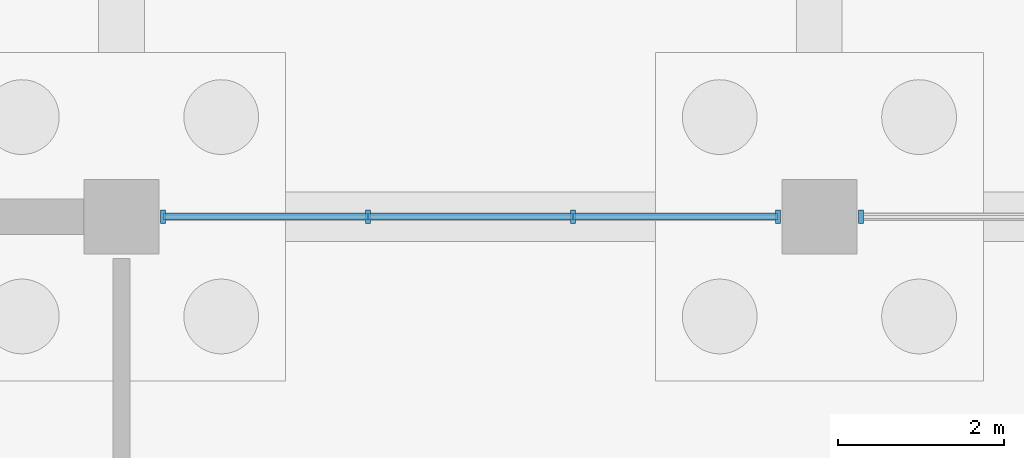
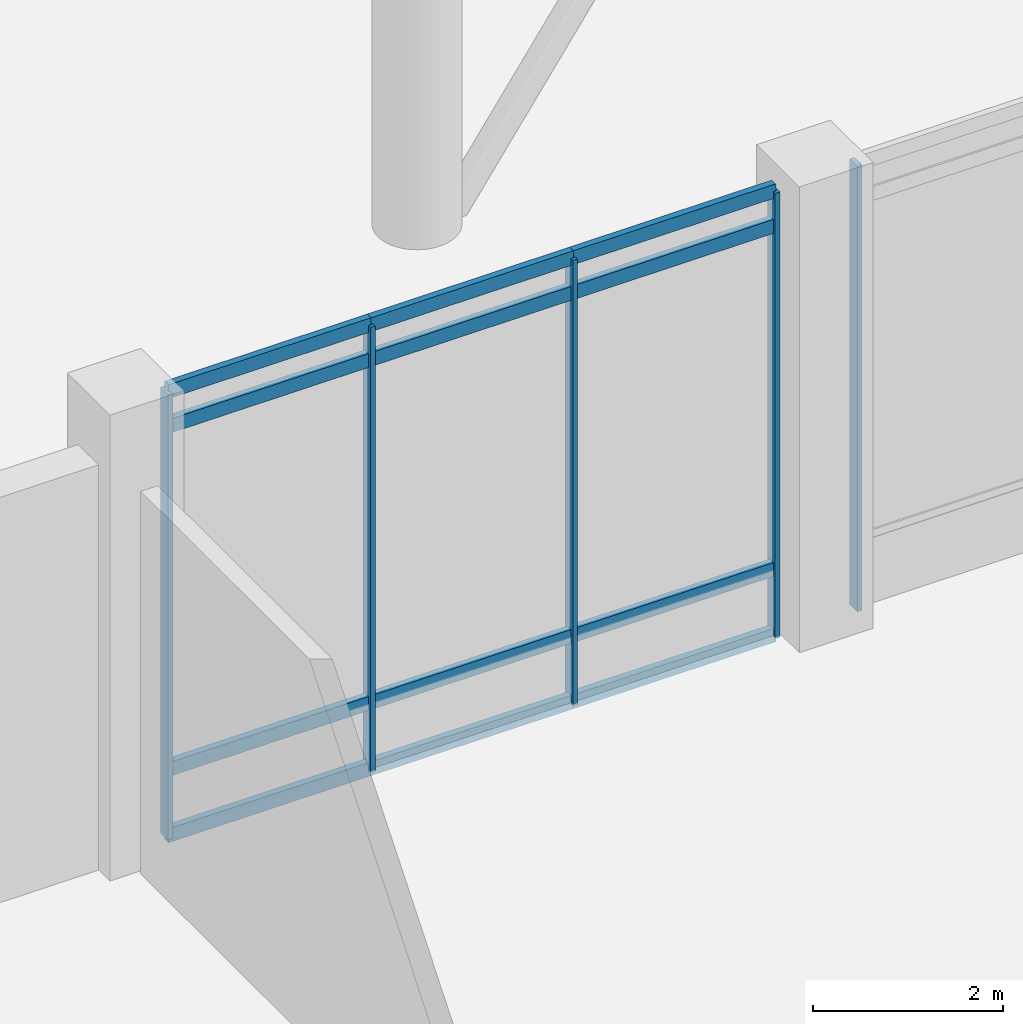
# One storey, part 23 of 72: 17 members, 2 elements without a shape of their own.
"""IFC4 building model written with IfcOpenShell, lengths in metres."""

from ifc_helpers import new_model, si_unit, direction, frame, origin, origin_2d, place, context, subcontext, project, spatial, rectangle, extrude, material, layer, layer_set, material_profile, profile_set, type_object, element, aggregate, save


model = new_model("IFC4")

# Units and contexts
model_context = context("Model", 3, precision=1e-05, world=origin(), true_north=direction((0.0, 1.0)))
body_context = subcontext(model_context, "Body", "Model", "MODEL_VIEW")
ifc_project = project(units=[si_unit("LENGTHUNIT", "METRE"), si_unit("AREAUNIT", "SQUARE_METRE"), si_unit("VOLUMEUNIT", "CUBIC_METRE"), si_unit("PLANEANGLEUNIT", "RADIAN"), si_unit("MASSUNIT", "GRAM", prefix="KILO")], contexts=[model_context])

# Site, building, storey
site_placement = place(None, origin())
site = spatial("IfcSite", under=ifc_project, at=site_placement, CompositionType="ELEMENT")
building_placement = place(site_placement, origin())
building = spatial("IfcBuilding", under=site, at=building_placement, Name="Qawsi Khor Wholesale Market", CompositionType="ELEMENT")
storey_placement = place(building_placement, origin())
storey = spatial("IfcBuildingStorey", under=building, at=storey_placement, Name="L00", CompositionType="ELEMENT", Elevation=0.0)

# Curtain wall, members
ifc_material = material(Name="Aluminium Anodised Bronze", Category="aluminium")
ifc_layer = layer(ifc_material, 0.169921875, Name="Aluminium Anodised Bronze")
ifc_layer_set = layer_set([ifc_layer], Name="Aluminium Anodised Bronze")
curtain_wall_type = type_object("IfcCurtainWallType", Name="Central Court Gallery Curtain Wall CW-05", PredefinedType="NOTDEFINED", material=ifc_layer_set)
curtain_wall_1_placement = place(storey_placement, origin())
curtain_wall_1 = element("IfcCurtainWall", 1, at=curtain_wall_1_placement, inside=storey, type_object=curtain_wall_type, Name="Curtain wall CW-CW-05-L00-057", PredefinedType="NOTDEFINED")
ifc_material_profile_1 = material_profile(ifc_material, rectangle(XDim=0.06005859375, YDim=0.159912109375, at=origin_2d()), Name="ALU MULLION 60x160")
ifc_profile_set_1 = profile_set([ifc_material_profile_1], Name="Aluminium Anodised Bronze")
member_type_1 = type_object("IfcMemberType", Name="Curtain Wall Mullion CW-05 ALU MULLION 60x160", PredefinedType="MULLION", material=ifc_profile_set_1)
member_1_placement = place(storey_placement, frame((118.10009765625, 42.0, -0.02001953125), z_axis=(0.0, 0.0, 1.0), x_axis=(1.0, 0.0, 0.0)))
member_1 = element("IfcMember", 2, at=member_1_placement, type_object=member_type_1, Name="Mullion CW-CW-05-L00-057-M00", PredefinedType="MULLION", context=body_context, shape_type="SweptSolid", body=[
    extrude(rectangle(XDim=0.06005859375, YDim=0.159912109375, at=origin_2d()), origin(), (0.0, 0.0, 1.0), 5.739990234375),
])
member_2_placement = place(storey_placement, frame((120.566650390625, 42.0, -0.02001953125), z_axis=(0.0, 0.0, 1.0), x_axis=(1.0, 0.0, 0.0)))
member_2 = element("IfcMember", 3, at=member_2_placement, type_object=member_type_1, Name="Mullion CW-CW-05-L00-057-M01", PredefinedType="MULLION", context=body_context, shape_type="SweptSolid", body=[
    extrude(rectangle(XDim=0.06005859375, YDim=0.159912109375, at=origin_2d()), origin(), (0.0, 0.0, 1.0), 5.739990234375),
])
member_3_placement = place(storey_placement, frame((123.033203125, 42.0, -0.02001953125), z_axis=(0.0, 0.0, 1.0), x_axis=(1.0, 0.0, 0.0)))
member_3 = element("IfcMember", 4, at=member_3_placement, type_object=member_type_1, Name="Mullion CW-CW-05-L00-057-M02", PredefinedType="MULLION", context=body_context, shape_type="SweptSolid", body=[
    extrude(rectangle(XDim=0.06005859375, YDim=0.159912109375, at=origin_2d()), origin(), (0.0, 0.0, 1.0), 5.739990234375),
])
member_4_placement = place(storey_placement, frame((125.5, 42.0, -0.02001953125), z_axis=(0.0, 0.0, 1.0), x_axis=(1.0, 0.0, 0.0)))
member_4 = element("IfcMember", 5, at=member_4_placement, type_object=member_type_1, Name="Mullion CW-CW-05-L00-057-M03", PredefinedType="MULLION", context=body_context, shape_type="SweptSolid", body=[
    extrude(rectangle(XDim=0.06005859375, YDim=0.159912109375, at=origin_2d()), origin(), (0.0, 0.0, 1.0), 5.739990234375),
])

# Curtain wall, member
curtain_wall_2_placement = place(storey_placement, origin())
curtain_wall_2 = element("IfcCurtainWall", 6, at=curtain_wall_2_placement, inside=storey, type_object=curtain_wall_type, Name="Curtain wall CW-CW-05-L00-058", PredefinedType="NOTDEFINED")
member_5_placement = place(storey_placement, frame((126.5, 42.0, -0.02001953125), z_axis=(0.0, 0.0, 1.0), x_axis=(1.0, 0.0, 0.0)))
member_5 = element("IfcMember", 7, at=member_5_placement, type_object=member_type_1, Name="Mullion CW-CW-05-L00-058-M00", PredefinedType="MULLION", context=body_context, shape_type="SweptSolid", body=[
    extrude(rectangle(XDim=0.06005859375, YDim=0.159912109375, at=origin_2d()), origin(), (0.0, 0.0, 1.0), 5.739990234375),
])
aggregate(curtain_wall_2, [member_5])

# Member
ifc_material_profile_2 = material_profile(ifc_material, rectangle(XDim=0.080078125, YDim=0.179931640625, at=origin_2d()), Name="ALU TRANSOM 80x180")
ifc_profile_set_2 = profile_set([ifc_material_profile_2], Name="Aluminium Anodised Bronze")
member_type_2 = type_object("IfcMemberType", Name="Curtain Wall Transom CW-05 ALU TRANSOM 80x180", PredefinedType="USERDEFINED", material=ifc_profile_set_2)
member_6_placement = place(storey_placement, frame((118.10009765625, 42.0, 0.0), z_axis=(1.0, 0.0, 0.0), x_axis=(0.0, 1.0, 0.0)))
member_6 = element("IfcMember", 8, at=member_6_placement, type_object=member_type_2, Name="Transom CW-CW-05-L00-057-T0_00", ObjectType="TRANSOM", PredefinedType="USERDEFINED", context=body_context, shape_type="SweptSolid", body=[
    extrude(rectangle(XDim=0.080078125, YDim=0.179931640625, at=origin_2d()), origin(), (0.0, 0.0, 1.0), 2.466552734375),
])

member_7_placement = place(storey_placement, frame((120.566650390625, 42.0, 0.0), z_axis=(1.0, 0.0, 0.0), x_axis=(0.0, 1.0, 0.0)))
member_7 = element("IfcMember", 9, at=member_7_placement, type_object=member_type_2, Name="Transom CW-CW-05-L00-057-T0_01", ObjectType="TRANSOM", PredefinedType="USERDEFINED", context=body_context, shape_type="SweptSolid", body=[
    extrude(rectangle(XDim=0.080078125, YDim=0.179931640625, at=origin_2d()), origin(), (0.0, 0.0, 1.0), 2.466552734375),
])

member_8_placement = place(storey_placement, frame((123.033203125, 42.0, 0.0), z_axis=(1.0, 0.0, 0.0), x_axis=(0.0, 1.0, 0.0)))
member_8 = element("IfcMember", 10, at=member_8_placement, type_object=member_type_2, Name="Transom CW-CW-05-L00-057-T0_02", ObjectType="TRANSOM", PredefinedType="USERDEFINED", context=body_context, shape_type="SweptSolid", body=[
    extrude(rectangle(XDim=0.080078125, YDim=0.179931640625, at=origin_2d()), origin(), (0.0, 0.0, 1.0), 2.466796875),
])

member_9_placement = place(storey_placement, frame((118.10009765625, 42.0, 0.85009765625), z_axis=(1.0, 0.0, 0.0), x_axis=(0.0, 1.0, 0.0)))
member_9 = element("IfcMember", 11, at=member_9_placement, type_object=member_type_2, Name="Transom CW-CW-05-L00-057-T1_00", ObjectType="TRANSOM", PredefinedType="USERDEFINED", context=body_context, shape_type="SweptSolid", body=[
    extrude(rectangle(XDim=0.080078125, YDim=0.179931640625, at=origin_2d()), origin(), (0.0, 0.0, 1.0), 2.466552734375),
])

member_10_placement = place(storey_placement, frame((120.566650390625, 42.0, 0.85009765625), z_axis=(1.0, 0.0, 0.0), x_axis=(0.0, 1.0, 0.0)))
member_10 = element("IfcMember", 12, at=member_10_placement, type_object=member_type_2, Name="Transom CW-CW-05-L00-057-T1_01", ObjectType="TRANSOM", PredefinedType="USERDEFINED", context=body_context, shape_type="SweptSolid", body=[
    extrude(rectangle(XDim=0.080078125, YDim=0.179931640625, at=origin_2d()), origin(), (0.0, 0.0, 1.0), 2.466552734375),
])

member_11_placement = place(storey_placement, frame((123.033203125, 42.0, 0.85009765625), z_axis=(1.0, 0.0, 0.0), x_axis=(0.0, 1.0, 0.0)))
member_11 = element("IfcMember", 13, at=member_11_placement, type_object=member_type_2, Name="Transom CW-CW-05-L00-057-T1_02", ObjectType="TRANSOM", PredefinedType="USERDEFINED", context=body_context, shape_type="SweptSolid", body=[
    extrude(rectangle(XDim=0.080078125, YDim=0.179931640625, at=origin_2d()), origin(), (0.0, 0.0, 1.0), 2.466796875),
])

member_12_placement = place(storey_placement, frame((118.10009765625, 42.0, 5.27001953125), z_axis=(1.0, 0.0, 0.0), x_axis=(0.0, 1.0, 0.0)))
member_12 = element("IfcMember", 14, at=member_12_placement, type_object=member_type_2, Name="Transom CW-CW-05-L00-057-T2_00", ObjectType="TRANSOM", PredefinedType="USERDEFINED", context=body_context, shape_type="SweptSolid", body=[
    extrude(rectangle(XDim=0.080078125, YDim=0.179931640625, at=origin_2d()), origin(), (0.0, 0.0, 1.0), 2.466552734375),
])

member_13_placement = place(storey_placement, frame((120.566650390625, 42.0, 5.27001953125), z_axis=(1.0, 0.0, 0.0), x_axis=(0.0, 1.0, 0.0)))
member_13 = element("IfcMember", 15, at=member_13_placement, type_object=member_type_2, Name="Transom CW-CW-05-L00-057-T2_01", ObjectType="TRANSOM", PredefinedType="USERDEFINED", context=body_context, shape_type="SweptSolid", body=[
    extrude(rectangle(XDim=0.080078125, YDim=0.179931640625, at=origin_2d()), origin(), (0.0, 0.0, 1.0), 2.466552734375),
])

member_14_placement = place(storey_placement, frame((123.033203125, 42.0, 5.27001953125), z_axis=(1.0, 0.0, 0.0), x_axis=(0.0, 1.0, 0.0)))
member_14 = element("IfcMember", 16, at=member_14_placement, type_object=member_type_2, Name="Transom CW-CW-05-L00-057-T2_02", ObjectType="TRANSOM", PredefinedType="USERDEFINED", context=body_context, shape_type="SweptSolid", body=[
    extrude(rectangle(XDim=0.080078125, YDim=0.179931640625, at=origin_2d()), origin(), (0.0, 0.0, 1.0), 2.466796875),
])

member_15_placement = place(storey_placement, frame((118.10009765625, 42.0, 5.719970703125), z_axis=(1.0, 0.0, 0.0), x_axis=(0.0, 1.0, 0.0)))
member_15 = element("IfcMember", 17, at=member_15_placement, type_object=member_type_2, Name="Transom CW-CW-05-L00-057-T3_00", ObjectType="TRANSOM", PredefinedType="USERDEFINED", context=body_context, shape_type="SweptSolid", body=[
    extrude(rectangle(XDim=0.080078125, YDim=0.179931640625, at=origin_2d()), origin(), (0.0, 0.0, 1.0), 2.466552734375),
])

member_16_placement = place(storey_placement, frame((120.566650390625, 42.0, 5.719970703125), z_axis=(1.0, 0.0, 0.0), x_axis=(0.0, 1.0, 0.0)))
member_16 = element("IfcMember", 18, at=member_16_placement, type_object=member_type_2, Name="Transom CW-CW-05-L00-057-T3_01", ObjectType="TRANSOM", PredefinedType="USERDEFINED", context=body_context, shape_type="SweptSolid", body=[
    extrude(rectangle(XDim=0.080078125, YDim=0.179931640625, at=origin_2d()), origin(), (0.0, 0.0, 1.0), 2.466552734375),
])

member_17_placement = place(storey_placement, frame((123.033203125, 42.0, 5.719970703125), z_axis=(1.0, 0.0, 0.0), x_axis=(0.0, 1.0, 0.0)))
member_17 = element("IfcMember", 19, at=member_17_placement, type_object=member_type_2, Name="Transom CW-CW-05-L00-057-T3_02", ObjectType="TRANSOM", PredefinedType="USERDEFINED", context=body_context, shape_type="SweptSolid", body=[
    extrude(rectangle(XDim=0.080078125, YDim=0.179931640625, at=origin_2d()), origin(), (0.0, 0.0, 1.0), 2.466796875),
])

aggregate(curtain_wall_1, [member_1, member_2, member_3, member_4, member_6, member_7, member_8, member_9, member_10, member_11, member_12, member_13, member_14, member_15, member_16, member_17])

save(model, "model.ifc")
